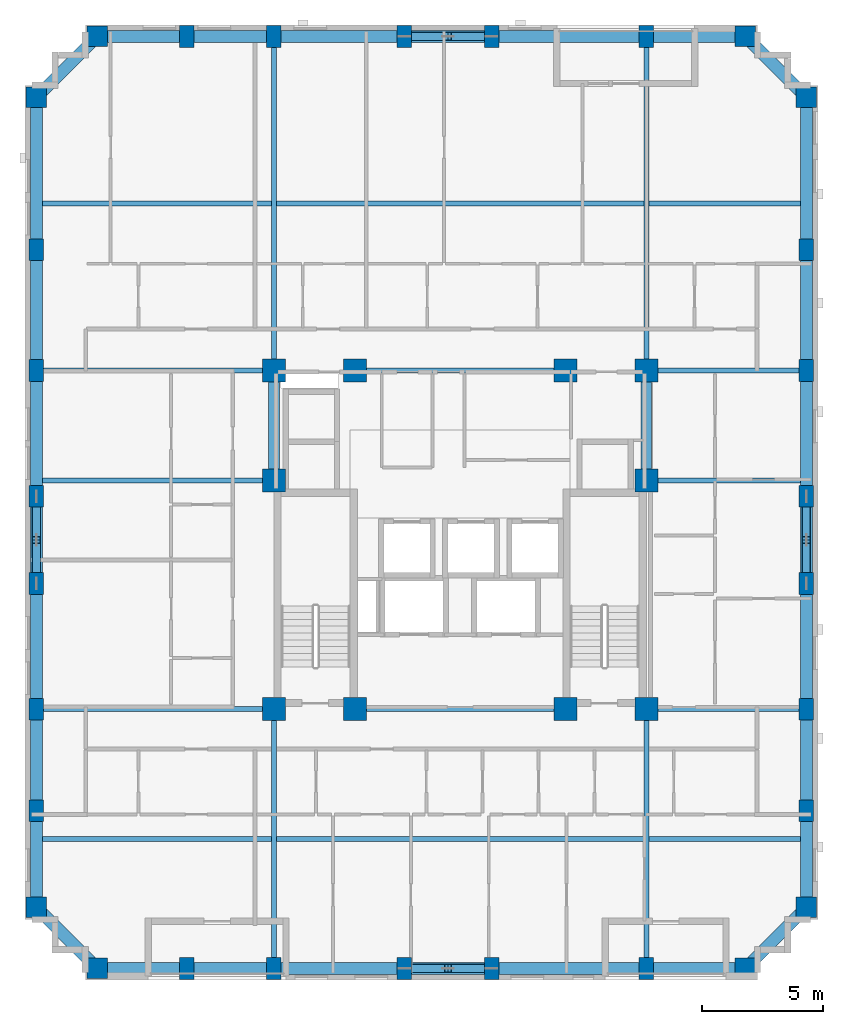
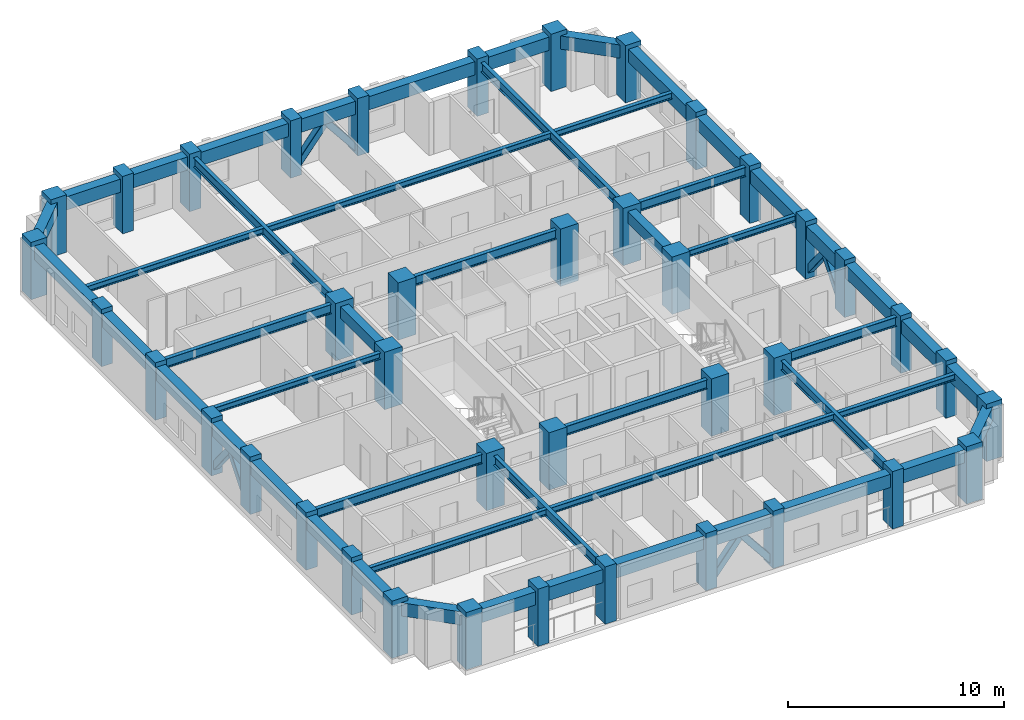
# One storey, part 1 of 11: 50 beams, 40 columns, 8 members.
"""IFC4 building model written with IfcOpenShell, lengths in metres."""

from ifc_helpers import new_model, si_unit, derived_unit, direction, frame, origin, origin_2d, place, context, subcontext, project, spatial, rectangle, hollow_rectangle, i_section, extrude, material, material_profile, profile_set, type_object, element, save


model = new_model("IFC4")

# Units and contexts
model_context = context("Model", 3, precision=1e-05, world=origin(), true_north=direction((0.0, 1.0)))
body_context = subcontext(model_context, "Body", "Model", "MODEL_VIEW")
ifc_project = project(units=[si_unit("LENGTHUNIT", "METRE"), si_unit("AREAUNIT", "SQUARE_METRE"), si_unit("VOLUMEUNIT", "CUBIC_METRE"), si_unit("PLANEANGLEUNIT", "RADIAN"), si_unit("MASSUNIT", "GRAM", prefix="KILO"), derived_unit("THERMALTRANSMITTANCEUNIT", [(si_unit("MASSUNIT", "GRAM", prefix="KILO"), 1), (si_unit("TIMEUNIT", "SECOND"), -3), (si_unit("THERMODYNAMICTEMPERATUREUNIT", "KELVIN"), -1)])], contexts=[model_context])

# Site, building, storey
site_placement = place(None, origin())
site = spatial("IfcSite", under=ifc_project, at=site_placement, CompositionType="ELEMENT")
building_placement = place(site_placement, origin())
building = spatial("IfcBuilding", under=site, at=building_placement, Name="Korrvale Station Residences", CompositionType="ELEMENT")
storey_placement = place(building_placement, frame((0.0, 0.0, 147.14990234375)))
storey = spatial("IfcBuildingStorey", under=building, at=storey_placement, Name="L42", CompositionType="ELEMENT", Elevation=147.14990234375)

# Columns
ifc_material_1 = material(Name="Concrete C60/75", Category="concrete")
ifc_material_profile_1 = material_profile(ifc_material_1, rectangle(XDim=0.60009765625, YDim=0.89990234375, at=origin_2d()), Name="RC600x900")
ifc_profile_set_1 = profile_set([ifc_material_profile_1], Name="Concrete C60/75")
column_type_1 = type_object("IfcColumnType", Name="COL-C-RC600x900-C6075", PredefinedType="COLUMN", material=ifc_profile_set_1)
for number, where, z_axis, x_axis, name in (
    (1, (14.199951171875, 4.280029296875, 0.0), (0.0, 0.0, 1.0), (1.0, 0.0, 0.0), "L42 Bundled-Tube South Column 02"),
    (2, (17.800048828125, 4.280029296875, 0.0), (0.0, 0.0, 1.0), (1.0, 0.0, 0.0), "L42 Bundled-Tube South Column 03"),
    (3, (23.199951171875, 4.280029296875, 0.0), (0.0, 0.0, 1.0), (1.0, 0.0, 0.0), "L42 Bundled-Tube South Column 04"),
    (4, (26.800048828125, 4.280029296875, 0.0), (0.0, 0.0, 1.0), (1.0, 0.0, 0.0), "L42 Bundled-Tube South Column 05"),
    (5, (33.199951171875, 4.280029296875, 0.0), (0.0, 0.0, 1.0), (1.0, 0.0, 0.0), "L42 Bundled-Tube South Column 06"),
    (6, (14.199951171875, 42.820068359375, 0.0), (0.0, 0.0, 1.0), (1.0, 0.0, 0.0), "L42 Bundled-Tube North Column 09"),
    (7, (17.800048828125, 42.820068359375, 0.0), (0.0, 0.0, 1.0), (1.0, 0.0, 0.0), "L42 Bundled-Tube North Column 10"),
    (8, (23.199951171875, 42.820068359375, 0.0), (0.0, 0.0, 1.0), (1.0, 0.0, 0.0), "L42 Bundled-Tube North Column 11"),
    (9, (26.800048828125, 42.820068359375, 0.0), (0.0, 0.0, 1.0), (1.0, 0.0, 0.0), "L42 Bundled-Tube North Column 12"),
    (10, (33.199951171875, 42.820068359375, 0.0), (0.0, 0.0, 1.0), (1.0, 0.0, 0.0), "L42 Bundled-Tube North Column 13"),
    (11, (7.97998046875, 10.800048828125, 0.0), (0.0, 0.0, 1.0), (1.0, 0.0, 0.0), "L42 Bundled-Tube West Column 16"),
    (12, (7.97998046875, 15.0, 0.0), (0.0, 0.0, 1.0), (1.0, 0.0, 0.0), "L42 Bundled-Tube West Column 17"),
    (13, (7.97998046875, 20.199951171875, 0.0), (0.0, 0.0, 1.0), (1.0, 0.0, 0.0), "L42 Bundled-Tube West Column 18"),
    (14, (7.97998046875, 23.800048828125, 0.0), (0.0, 0.0, 1.0), (1.0, 0.0, 0.0), "L42 Bundled-Tube West Column 19"),
    (15, (7.97998046875, 29.0, 0.0), (0.0, 0.0, 1.0), (1.0, 0.0, 0.0), "L42 Bundled-Tube West Column 20"),
    (16, (7.97998046875, 34.0, 0.0), (0.0, 0.0, 1.0), (1.0, 0.0, 0.0), "L42 Bundled-Tube West Column 21"),
    (17, (39.820068359375, 10.800048828125, 0.0), (0.0, 0.0, 1.0), (1.0, 0.0, 0.0), "L42 Bundled-Tube East Column 24"),
    (18, (39.820068359375, 15.0, 0.0), (0.0, 0.0, 1.0), (1.0, 0.0, 0.0), "L42 Bundled-Tube East Column 25"),
    (19, (39.820068359375, 20.199951171875, 0.0), (0.0, 0.0, 1.0), (1.0, 0.0, 0.0), "L42 Bundled-Tube East Column 26"),
    (20, (39.820068359375, 23.800048828125, 0.0), (0.0, 0.0, 1.0), (1.0, 0.0, 0.0), "L42 Bundled-Tube East Column 27"),
    (21, (39.820068359375, 29.0, 0.0), (0.0, 0.0, 1.0), (1.0, 0.0, 0.0), "L42 Bundled-Tube East Column 28"),
    (22, (39.820068359375, 34.0, 0.0), (0.0, 0.0, 1.0), (1.0, 0.0, 0.0), "L42 Bundled-Tube East Column 29"),
):
    element("IfcColumn", number, at=place(storey_placement, frame(where, z_axis=z_axis, x_axis=x_axis)), inside=storey, type_object=column_type_1, Name=name, PredefinedType="COLUMN", context=body_context, shape_type="SweptSolid", body=[
        extrude(rectangle(XDim=0.60009765625, YDim=0.89990234375, at=origin_2d()), origin(), (0.0, 0.0, 1.0), 3.25),
    ])
ifc_material_profile_2 = material_profile(ifc_material_1, rectangle(XDim=0.85009765625, YDim=0.85009765625, at=origin_2d()), Name="RC850x850")
ifc_profile_set_2 = profile_set([ifc_material_profile_2], Name="Concrete C60/75")
column_type_2 = type_object("IfcColumnType", Name="COL-C-RC850x850-C6075", PredefinedType="COLUMN", material=ifc_profile_set_2)
for number, where, z_axis, x_axis, name in (
    (23, (10.5, 4.280029296875, 0.0), (0.0, 0.0, 1.0), (1.0, 0.0, 0.0), "L42 Bundled-Tube South Column 01"),
    (24, (37.300048828125, 4.280029296875, 0.0), (0.0, 0.0, 1.0), (1.0, 0.0, 0.0), "L42 Bundled-Tube South Column 07"),
    (25, (10.5, 42.820068359375, 0.0), (0.0, 0.0, 1.0), (1.0, 0.0, 0.0), "L42 Bundled-Tube North Column 08"),
    (26, (37.300048828125, 42.820068359375, 0.0), (0.0, 0.0, 1.0), (1.0, 0.0, 0.0), "L42 Bundled-Tube North Column 14"),
    (27, (7.97998046875, 6.800048828125, 0.0), (0.0, 0.0, 1.0), (1.0, 0.0, 0.0), "L42 Bundled-Tube West Column 15"),
    (28, (7.97998046875, 40.300048828125, 0.0), (0.0, 0.0, 1.0), (1.0, 0.0, 0.0), "L42 Bundled-Tube West Column 22"),
    (29, (39.820068359375, 6.800048828125, 0.0), (0.0, 0.0, 1.0), (1.0, 0.0, 0.0), "L42 Bundled-Tube East Column 23"),
    (30, (39.820068359375, 40.300048828125, 0.0), (0.0, 0.0, 1.0), (1.0, 0.0, 0.0), "L42 Bundled-Tube East Column 30"),
):
    element("IfcColumn", number, at=place(storey_placement, frame(where, z_axis=z_axis, x_axis=x_axis)), inside=storey, type_object=column_type_2, Name=name, PredefinedType="COLUMN", context=body_context, shape_type="SweptSolid", body=[
        extrude(rectangle(XDim=0.85009765625, YDim=0.85009765625, at=origin_2d()), origin(), (0.0, 0.0, 1.0), 3.25),
    ])
ifc_material_profile_3 = material_profile(ifc_material_1, rectangle(XDim=0.949951171875, YDim=0.949951171875, at=origin_2d()), Name="RC950x950")
ifc_profile_set_3 = profile_set([ifc_material_profile_3], Name="Concrete C60/75")
column_type_3 = type_object("IfcColumnType", Name="COL-C-RC950x950-C6075", PredefinedType="COLUMN", material=ifc_profile_set_3)
for number, where, z_axis, x_axis, name in (
    (31, (17.800048828125, 15.0, 0.0), (0.0, 0.0, 1.0), (1.0, 0.0, 0.0), "L42 Core Column 01"),
    (32, (21.14990234375, 15.0, 0.0), (0.0, 0.0, 1.0), (1.0, 0.0, 0.0), "L42 Core Column 02"),
    (33, (29.85009765625, 15.0, 0.0), (0.0, 0.0, 1.0), (1.0, 0.0, 0.0), "L42 Core Column 03"),
    (34, (33.199951171875, 15.0, 0.0), (0.0, 0.0, 1.0), (1.0, 0.0, 0.0), "L42 Core Column 04"),
    (35, (17.800048828125, 29.0, 0.0), (0.0, 0.0, 1.0), (1.0, 0.0, 0.0), "L42 Core Column 05"),
    (36, (21.14990234375, 29.0, 0.0), (0.0, 0.0, 1.0), (1.0, 0.0, 0.0), "L42 Core Column 06"),
    (37, (29.85009765625, 29.0, 0.0), (0.0, 0.0, 1.0), (1.0, 0.0, 0.0), "L42 Core Column 07"),
    (38, (33.199951171875, 29.0, 0.0), (0.0, 0.0, 1.0), (1.0, 0.0, 0.0), "L42 Core Column 08"),
    (39, (17.800048828125, 24.449951171875, 0.0), (0.0, 0.0, 1.0), (1.0, 0.0, 0.0), "L42 Core Column 09"),
    (40, (33.199951171875, 24.449951171875, 0.0), (0.0, 0.0, 1.0), (1.0, 0.0, 0.0), "L42 Core Column 10"),
):
    element("IfcColumn", number, at=place(storey_placement, frame(where, z_axis=z_axis, x_axis=x_axis)), inside=storey, type_object=column_type_3, Name=name, PredefinedType="COLUMN", context=body_context, shape_type="SweptSolid", body=[
        extrude(rectangle(XDim=0.949951171875, YDim=0.949951171875, at=origin_2d()), origin(), (0.0, 0.0, 1.0), 3.25),
    ])

# Beams
ifc_material_2 = material(Name="Steel S355", Category="steel")
ifc_material_profile_4 = material_profile(ifc_material_2, i_section(OverallWidth=0.208984375, OverallDepth=0.532958984375, WebThickness=0.01025390625, FlangeThickness=0.015625, FilletRadius=0.01806640625, at=origin_2d()), Name="W530x92")
ifc_profile_set_4 = profile_set([ifc_material_profile_4], Name="Steel S355")
beam_type_1 = type_object("IfcBeamType", Name="BM-BM-W530x92-S355", PredefinedType="BEAM", material=ifc_profile_set_4)
for number, where, z_axis, x_axis, name in (
    (41, (17.800048828125, 4.280029296875, 2.7236328125), (0.0, 1.0, 0.0), (-1.0, 0.0, 0.0), "L42 Bundled-Tube Web Girder 01"),
    (42, (33.199951171875, 4.280029296875, 2.7236328125), (0.0, 1.0, 0.0), (-1.0, 0.0, 0.0), "L42 Bundled-Tube Web Girder 02"),
):
    element("IfcBeam", number, at=place(storey_placement, frame(where, z_axis=z_axis, x_axis=x_axis)), inside=storey, type_object=beam_type_1, Name=name, PredefinedType="BEAM", context=body_context, shape_type="SweptSolid", body=[
        extrude(i_section(OverallWidth=0.208984375, OverallDepth=0.532958984375, WebThickness=0.01025390625, FlangeThickness=0.015625, FilletRadius=0.01806640625, at=origin_2d()), origin(), (0.0, 0.0, 1.0), 10.719970703125),
    ])
for number, where, z_axis, x_axis, name in (
    (43, (17.800048828125, 29.0, 2.7236328125), (0.0, 1.0, 0.0), (-1.0, 0.0, 0.0), "L42 Bundled-Tube Web Girder 03"),
    (44, (33.199951171875, 29.0, 2.7236328125), (0.0, 1.0, 0.0), (-1.0, 0.0, 0.0), "L42 Bundled-Tube Web Girder 04"),
):
    element("IfcBeam", number, at=place(storey_placement, frame(where, z_axis=z_axis, x_axis=x_axis)), inside=storey, type_object=beam_type_1, Name=name, PredefinedType="BEAM", context=body_context, shape_type="SweptSolid", body=[
        extrude(i_section(OverallWidth=0.208984375, OverallDepth=0.532958984375, WebThickness=0.01025390625, FlangeThickness=0.015625, FilletRadius=0.01806640625, at=origin_2d()), origin(), (0.0, 0.0, 1.0), 13.820068359375),
    ])
beam_1_placement = place(storey_placement, frame((7.97998046875, 15.0, 2.7236328125), z_axis=(1.0, 0.0, 0.0), x_axis=(0.0, 1.0, 0.0)))
element("IfcBeam", 45, at=beam_1_placement, inside=storey, type_object=beam_type_1, Name="L42 Bundled-Tube Web Girder 05", PredefinedType="BEAM", context=body_context, shape_type="SweptSolid", body=[
    extrude(i_section(OverallWidth=0.208984375, OverallDepth=0.532958984375, WebThickness=0.01025390625, FlangeThickness=0.015625, FilletRadius=0.01806640625, at=origin_2d()), origin(), (0.0, 0.0, 1.0), 9.820068359375),
])
beam_2_placement = place(storey_placement, frame((33.199951171875, 15.0, 2.7236328125), z_axis=(1.0, 0.0, 0.0), x_axis=(0.0, 1.0, 0.0)))
element("IfcBeam", 46, at=beam_2_placement, inside=storey, type_object=beam_type_1, Name="L42 Bundled-Tube Web Girder 06", PredefinedType="BEAM", context=body_context, shape_type="SweptSolid", body=[
    extrude(i_section(OverallWidth=0.208984375, OverallDepth=0.532958984375, WebThickness=0.01025390625, FlangeThickness=0.015625, FilletRadius=0.01806640625, at=origin_2d()), origin(), (0.0, 0.0, 1.0), 6.6201171875),
])
beam_3_placement = place(storey_placement, frame((7.97998046875, 29.0, 2.7236328125), z_axis=(1.0, 0.0, 0.0), x_axis=(0.0, 1.0, 0.0)))
element("IfcBeam", 47, at=beam_3_placement, inside=storey, type_object=beam_type_1, Name="L42 Bundled-Tube Web Girder 07", PredefinedType="BEAM", context=body_context, shape_type="SweptSolid", body=[
    extrude(i_section(OverallWidth=0.208984375, OverallDepth=0.532958984375, WebThickness=0.01025390625, FlangeThickness=0.015625, FilletRadius=0.01806640625, at=origin_2d()), origin(), (0.0, 0.0, 1.0), 9.820068359375),
])
beam_4_placement = place(storey_placement, frame((33.199951171875, 29.0, 2.7236328125), z_axis=(1.0, 0.0, 0.0), x_axis=(0.0, 1.0, 0.0)))
element("IfcBeam", 48, at=beam_4_placement, inside=storey, type_object=beam_type_1, Name="L42 Bundled-Tube Web Girder 08", PredefinedType="BEAM", context=body_context, shape_type="SweptSolid", body=[
    extrude(i_section(OverallWidth=0.208984375, OverallDepth=0.532958984375, WebThickness=0.01025390625, FlangeThickness=0.015625, FilletRadius=0.01806640625, at=origin_2d()), origin(), (0.0, 0.0, 1.0), 6.6201171875),
])
for number, where, z_axis, x_axis, name in (
    (49, (21.14990234375, 15.0, 2.7236328125), (1.0, 0.0, 0.0), (0.0, 1.0, 0.0), "L42 Bundled-Tube Web Girder 09"),
    (50, (21.14990234375, 29.0, 2.7236328125), (1.0, 0.0, 0.0), (0.0, 1.0, 0.0), "L42 Bundled-Tube Web Girder 10"),
):
    element("IfcBeam", number, at=place(storey_placement, frame(where, z_axis=z_axis, x_axis=x_axis)), inside=storey, type_object=beam_type_1, Name=name, PredefinedType="BEAM", context=body_context, shape_type="SweptSolid", body=[
        extrude(i_section(OverallWidth=0.208984375, OverallDepth=0.532958984375, WebThickness=0.01025390625, FlangeThickness=0.015625, FilletRadius=0.01806640625, at=origin_2d()), origin(), (0.0, 0.0, 1.0), 8.7001953125),
    ])
ifc_material_profile_5 = material_profile(ifc_material_2, i_section(OverallWidth=0.205078125, OverallDepth=0.35400390625, WebThickness=0.009521484375, FlangeThickness=0.016845703125, FilletRadius=0.014892578125, at=origin_2d()), Name="W360x79")
ifc_profile_set_5 = profile_set([ifc_material_profile_5], Name="Steel S355")
beam_type_2 = type_object("IfcBeamType", Name="BM-JST-W360x79-S355", PredefinedType="JOIST", material=ifc_profile_set_5)
beam_5_placement = place(storey_placement, frame((8.22998046875, 9.639892578125, 2.81298828125), z_axis=(1.0, 0.0, 0.0), x_axis=(0.0, 1.0, 0.0)))
element("IfcBeam", 51, at=beam_5_placement, inside=storey, type_object=beam_type_2, Name="L42 Floor Framing Joist 01", PredefinedType="JOIST", context=body_context, shape_type="SweptSolid", body=[
    extrude(i_section(OverallWidth=0.205078125, OverallDepth=0.35400390625, WebThickness=0.009521484375, FlangeThickness=0.016845703125, FilletRadius=0.014892578125, at=origin_2d()), origin(), (0.0, 0.0, 1.0), 9.465576171875),
])
beam_6_placement = place(storey_placement, frame((17.904541015625, 9.639892578125, 2.81298828125), z_axis=(1.0, 0.0, 0.0), x_axis=(0.0, 1.0, 0.0)))
element("IfcBeam", 52, at=beam_6_placement, inside=storey, type_object=beam_type_2, Name="L42 Floor Framing Joist 02", PredefinedType="JOIST", context=body_context, shape_type="SweptSolid", body=[
    extrude(i_section(OverallWidth=0.205078125, OverallDepth=0.35400390625, WebThickness=0.009521484375, FlangeThickness=0.016845703125, FilletRadius=0.014892578125, at=origin_2d()), origin(), (0.0, 0.0, 1.0), 15.19091796875),
])
beam_7_placement = place(storey_placement, frame((33.304443359375, 9.639892578125, 2.81298828125), z_axis=(1.0, 0.0, 0.0), x_axis=(0.0, 1.0, 0.0)))
element("IfcBeam", 53, at=beam_7_placement, inside=storey, type_object=beam_type_2, Name="L42 Floor Framing Joist 03", PredefinedType="JOIST", context=body_context, shape_type="SweptSolid", body=[
    extrude(i_section(OverallWidth=0.205078125, OverallDepth=0.35400390625, WebThickness=0.009521484375, FlangeThickness=0.016845703125, FilletRadius=0.014892578125, at=origin_2d()), origin(), (0.0, 0.0, 1.0), 6.265625),
])
beam_8_placement = place(storey_placement, frame((8.22998046875, 35.909912109375, 2.81298828125), z_axis=(1.0, 0.0, 0.0), x_axis=(0.0, 1.0, 0.0)))
element("IfcBeam", 54, at=beam_8_placement, inside=storey, type_object=beam_type_2, Name="L42 Floor Framing Joist 04", PredefinedType="JOIST", context=body_context, shape_type="SweptSolid", body=[
    extrude(i_section(OverallWidth=0.205078125, OverallDepth=0.35400390625, WebThickness=0.009521484375, FlangeThickness=0.016845703125, FilletRadius=0.014892578125, at=origin_2d()), origin(), (0.0, 0.0, 1.0), 9.465576171875),
])
beam_9_placement = place(storey_placement, frame((17.904541015625, 35.909912109375, 2.81298828125), z_axis=(1.0, 0.0, 0.0), x_axis=(0.0, 1.0, 0.0)))
element("IfcBeam", 55, at=beam_9_placement, inside=storey, type_object=beam_type_2, Name="L42 Floor Framing Joist 05", PredefinedType="JOIST", context=body_context, shape_type="SweptSolid", body=[
    extrude(i_section(OverallWidth=0.205078125, OverallDepth=0.35400390625, WebThickness=0.009521484375, FlangeThickness=0.016845703125, FilletRadius=0.014892578125, at=origin_2d()), origin(), (0.0, 0.0, 1.0), 15.19091796875),
])
beam_10_placement = place(storey_placement, frame((33.304443359375, 35.909912109375, 2.81298828125), z_axis=(1.0, 0.0, 0.0), x_axis=(0.0, 1.0, 0.0)))
element("IfcBeam", 56, at=beam_10_placement, inside=storey, type_object=beam_type_2, Name="L42 Floor Framing Joist 06", PredefinedType="JOIST", context=body_context, shape_type="SweptSolid", body=[
    extrude(i_section(OverallWidth=0.205078125, OverallDepth=0.35400390625, WebThickness=0.009521484375, FlangeThickness=0.016845703125, FilletRadius=0.014892578125, at=origin_2d()), origin(), (0.0, 0.0, 1.0), 6.265625),
])
beam_11_placement = place(storey_placement, frame((33.425048828125, 24.449951171875, 2.81298828125), z_axis=(1.0, 0.0, 0.0), x_axis=(0.0, 1.0, 0.0)))
element("IfcBeam", 57, at=beam_11_placement, inside=storey, type_object=beam_type_2, Name="L42 Floor Framing Joist 07", PredefinedType="JOIST", context=body_context, shape_type="SweptSolid", body=[
    extrude(i_section(OverallWidth=0.205078125, OverallDepth=0.35400390625, WebThickness=0.009521484375, FlangeThickness=0.016845703125, FilletRadius=0.014892578125, at=origin_2d()), origin(), (0.0, 0.0, 1.0), 6.14501953125),
])
beam_12_placement = place(storey_placement, frame((8.22998046875, 24.449951171875, 2.81298828125), z_axis=(1.0, 0.0, 0.0), x_axis=(0.0, 1.0, 0.0)))
element("IfcBeam", 58, at=beam_12_placement, inside=storey, type_object=beam_type_2, Name="L42 Floor Framing Joist 08", PredefinedType="JOIST", context=body_context, shape_type="SweptSolid", body=[
    extrude(i_section(OverallWidth=0.205078125, OverallDepth=0.35400390625, WebThickness=0.009521484375, FlangeThickness=0.016845703125, FilletRadius=0.014892578125, at=origin_2d()), origin(), (0.0, 0.0, 1.0), 9.344970703125),
])
ifc_material_profile_6 = material_profile(ifc_material_1, rectangle(XDim=0.449951171875, YDim=0.64990234375, at=origin_2d()), Name="RCB450x650")
ifc_profile_set_6 = profile_set([ifc_material_profile_6], Name="Concrete C60/75")
beam_type_3 = type_object("IfcBeamType", Name="BM-LNT-RCB450x650-C6075", PredefinedType="LINTEL", material=ifc_profile_set_6)
for number, where, z_axis, x_axis, name in (
    (59, (17.800048828125, 24.449951171875, 2.6650390625), (0.0, 1.0, 0.0), (-1.0, 0.0, 0.0), "L42 Core Coupling Lintel 1"),
    (60, (33.199951171875, 24.449951171875, 2.6650390625), (0.0, 1.0, 0.0), (-1.0, 0.0, 0.0), "L42 Core Coupling Lintel 2"),
):
    element("IfcBeam", number, at=place(storey_placement, frame(where, z_axis=z_axis, x_axis=x_axis)), inside=storey, type_object=beam_type_3, Name=name, PredefinedType="LINTEL", context=body_context, shape_type="SweptSolid", body=[
        extrude(rectangle(XDim=0.449951171875, YDim=0.64990234375, at=origin_2d()), origin(), (0.0, 0.0, 1.0), 4.550048828125),
    ])
ifc_material_profile_7 = material_profile(ifc_material_1, rectangle(XDim=0.5, YDim=0.75, at=origin_2d()), Name="RCB500x750")
ifc_profile_set_7 = profile_set([ifc_material_profile_7], Name="Concrete C60/75")
beam_type_4 = type_object("IfcBeamType", Name="BM-SPB-RCB500x750-C6075", PredefinedType="SPANDREL", material=ifc_profile_set_7)
beam_13_placement = place(storey_placement, frame((10.5, 4.280029296875, 2.614990234375), z_axis=(1.0, 0.0, 0.0), x_axis=(0.0, 1.0, 0.0)))
element("IfcBeam", 61, at=beam_13_placement, inside=storey, type_object=beam_type_4, Name="L42 South Tube Spandrel 01", PredefinedType="SPANDREL", context=body_context, shape_type="SweptSolid", body=[
    extrude(rectangle(XDim=0.5, YDim=0.75, at=origin_2d()), origin(), (0.0, 0.0, 1.0), 3.699951171875),
])
beam_14_placement = place(storey_placement, frame((14.199951171875, 4.280029296875, 2.614990234375), z_axis=(1.0, 0.0, 0.0), x_axis=(0.0, 1.0, 0.0)))
element("IfcBeam", 62, at=beam_14_placement, inside=storey, type_object=beam_type_4, Name="L42 South Tube Spandrel 02", PredefinedType="SPANDREL", context=body_context, shape_type="SweptSolid", body=[
    extrude(rectangle(XDim=0.5, YDim=0.75, at=origin_2d()), origin(), (0.0, 0.0, 1.0), 3.60009765625),
])
beam_15_placement = place(storey_placement, frame((17.800048828125, 4.280029296875, 2.614990234375), z_axis=(1.0, 0.0, 0.0), x_axis=(0.0, 1.0, 0.0)))
element("IfcBeam", 63, at=beam_15_placement, inside=storey, type_object=beam_type_4, Name="L42 South Tube Spandrel 03", PredefinedType="SPANDREL", context=body_context, shape_type="SweptSolid", body=[
    extrude(rectangle(XDim=0.5, YDim=0.75, at=origin_2d()), origin(), (0.0, 0.0, 1.0), 5.39990234375),
])
beam_16_placement = place(storey_placement, frame((23.199951171875, 4.280029296875, 2.614990234375), z_axis=(1.0, 0.0, 0.0), x_axis=(0.0, 1.0, 0.0)))
element("IfcBeam", 64, at=beam_16_placement, inside=storey, type_object=beam_type_4, Name="L42 South Tube Spandrel 04", PredefinedType="SPANDREL", context=body_context, shape_type="SweptSolid", body=[
    extrude(rectangle(XDim=0.5, YDim=0.75, at=origin_2d()), origin(), (0.0, 0.0, 1.0), 3.60009765625),
])
beam_17_placement = place(storey_placement, frame((26.800048828125, 4.280029296875, 2.614990234375), z_axis=(1.0, 0.0, 0.0), x_axis=(0.0, 1.0, 0.0)))
element("IfcBeam", 65, at=beam_17_placement, inside=storey, type_object=beam_type_4, Name="L42 South Tube Spandrel 05", PredefinedType="SPANDREL", context=body_context, shape_type="SweptSolid", body=[
    extrude(rectangle(XDim=0.5, YDim=0.75, at=origin_2d()), origin(), (0.0, 0.0, 1.0), 6.39990234375),
])
beam_18_placement = place(storey_placement, frame((33.199951171875, 4.280029296875, 2.614990234375), z_axis=(1.0, 0.0, 0.0), x_axis=(0.0, 1.0, 0.0)))
element("IfcBeam", 66, at=beam_18_placement, inside=storey, type_object=beam_type_4, Name="L42 South Tube Spandrel 06", PredefinedType="SPANDREL", context=body_context, shape_type="SweptSolid", body=[
    extrude(rectangle(XDim=0.5, YDim=0.75, at=origin_2d()), origin(), (0.0, 0.0, 1.0), 4.10009765625),
])
beam_19_placement = place(storey_placement, frame((10.5, 42.820068359375, 2.614990234375), z_axis=(1.0, 0.0, 0.0), x_axis=(0.0, 1.0, 0.0)))
element("IfcBeam", 67, at=beam_19_placement, inside=storey, type_object=beam_type_4, Name="L42 North Tube Spandrel 07", PredefinedType="SPANDREL", context=body_context, shape_type="SweptSolid", body=[
    extrude(rectangle(XDim=0.5, YDim=0.75, at=origin_2d()), origin(), (0.0, 0.0, 1.0), 3.699951171875),
])
beam_20_placement = place(storey_placement, frame((14.199951171875, 42.820068359375, 2.614990234375), z_axis=(1.0, 0.0, 0.0), x_axis=(0.0, 1.0, 0.0)))
element("IfcBeam", 68, at=beam_20_placement, inside=storey, type_object=beam_type_4, Name="L42 North Tube Spandrel 08", PredefinedType="SPANDREL", context=body_context, shape_type="SweptSolid", body=[
    extrude(rectangle(XDim=0.5, YDim=0.75, at=origin_2d()), origin(), (0.0, 0.0, 1.0), 3.60009765625),
])
beam_21_placement = place(storey_placement, frame((17.800048828125, 42.820068359375, 2.614990234375), z_axis=(1.0, 0.0, 0.0), x_axis=(0.0, 1.0, 0.0)))
element("IfcBeam", 69, at=beam_21_placement, inside=storey, type_object=beam_type_4, Name="L42 North Tube Spandrel 09", PredefinedType="SPANDREL", context=body_context, shape_type="SweptSolid", body=[
    extrude(rectangle(XDim=0.5, YDim=0.75, at=origin_2d()), origin(), (0.0, 0.0, 1.0), 5.39990234375),
])
beam_22_placement = place(storey_placement, frame((23.199951171875, 42.820068359375, 2.614990234375), z_axis=(1.0, 0.0, 0.0), x_axis=(0.0, 1.0, 0.0)))
element("IfcBeam", 70, at=beam_22_placement, inside=storey, type_object=beam_type_4, Name="L42 North Tube Spandrel 10", PredefinedType="SPANDREL", context=body_context, shape_type="SweptSolid", body=[
    extrude(rectangle(XDim=0.5, YDim=0.75, at=origin_2d()), origin(), (0.0, 0.0, 1.0), 3.60009765625),
])
beam_23_placement = place(storey_placement, frame((26.800048828125, 42.820068359375, 2.614990234375), z_axis=(1.0, 0.0, 0.0), x_axis=(0.0, 1.0, 0.0)))
element("IfcBeam", 71, at=beam_23_placement, inside=storey, type_object=beam_type_4, Name="L42 North Tube Spandrel 11", PredefinedType="SPANDREL", context=body_context, shape_type="SweptSolid", body=[
    extrude(rectangle(XDim=0.5, YDim=0.75, at=origin_2d()), origin(), (0.0, 0.0, 1.0), 6.39990234375),
])
beam_24_placement = place(storey_placement, frame((33.199951171875, 42.820068359375, 2.614990234375), z_axis=(1.0, 0.0, 0.0), x_axis=(0.0, 1.0, 0.0)))
element("IfcBeam", 72, at=beam_24_placement, inside=storey, type_object=beam_type_4, Name="L42 North Tube Spandrel 12", PredefinedType="SPANDREL", context=body_context, shape_type="SweptSolid", body=[
    extrude(rectangle(XDim=0.5, YDim=0.75, at=origin_2d()), origin(), (0.0, 0.0, 1.0), 4.10009765625),
])
beam_25_placement = place(storey_placement, frame((7.97998046875, 6.800048828125, 2.614990234375), z_axis=(0.0, 1.0, 0.0), x_axis=(-1.0, 0.0, 0.0)))
element("IfcBeam", 73, at=beam_25_placement, inside=storey, type_object=beam_type_4, Name="L42 West Tube Spandrel 13", PredefinedType="SPANDREL", context=body_context, shape_type="SweptSolid", body=[
    extrude(rectangle(XDim=0.5, YDim=0.75, at=origin_2d()), origin(), (0.0, 0.0, 1.0), 4.0),
])
beam_26_placement = place(storey_placement, frame((7.97998046875, 10.800048828125, 2.614990234375), z_axis=(0.0, 1.0, 0.0), x_axis=(-1.0, 0.0, 0.0)))
element("IfcBeam", 74, at=beam_26_placement, inside=storey, type_object=beam_type_4, Name="L42 West Tube Spandrel 14", PredefinedType="SPANDREL", context=body_context, shape_type="SweptSolid", body=[
    extrude(rectangle(XDim=0.5, YDim=0.75, at=origin_2d()), origin(), (0.0, 0.0, 1.0), 4.199951171875),
])
beam_27_placement = place(storey_placement, frame((7.97998046875, 15.0, 2.614990234375), z_axis=(0.0, 1.0, 0.0), x_axis=(-1.0, 0.0, 0.0)))
element("IfcBeam", 75, at=beam_27_placement, inside=storey, type_object=beam_type_4, Name="L42 West Tube Spandrel 15", PredefinedType="SPANDREL", context=body_context, shape_type="SweptSolid", body=[
    extrude(rectangle(XDim=0.5, YDim=0.75, at=origin_2d()), origin(), (0.0, 0.0, 1.0), 5.199951171875),
])
beam_28_placement = place(storey_placement, frame((7.97998046875, 20.199951171875, 2.614990234375), z_axis=(0.0, 1.0, 0.0), x_axis=(-1.0, 0.0, 0.0)))
element("IfcBeam", 76, at=beam_28_placement, inside=storey, type_object=beam_type_4, Name="L42 West Tube Spandrel 16", PredefinedType="SPANDREL", context=body_context, shape_type="SweptSolid", body=[
    extrude(rectangle(XDim=0.5, YDim=0.75, at=origin_2d()), origin(), (0.0, 0.0, 1.0), 3.60009765625),
])
beam_29_placement = place(storey_placement, frame((7.97998046875, 23.800048828125, 2.614990234375), z_axis=(0.0, 1.0, 0.0), x_axis=(-1.0, 0.0, 0.0)))
element("IfcBeam", 77, at=beam_29_placement, inside=storey, type_object=beam_type_4, Name="L42 West Tube Spandrel 17", PredefinedType="SPANDREL", context=body_context, shape_type="SweptSolid", body=[
    extrude(rectangle(XDim=0.5, YDim=0.75, at=origin_2d()), origin(), (0.0, 0.0, 1.0), 5.199951171875),
])
beam_30_placement = place(storey_placement, frame((7.97998046875, 29.0, 2.614990234375), z_axis=(0.0, 1.0, 0.0), x_axis=(-1.0, 0.0, 0.0)))
element("IfcBeam", 78, at=beam_30_placement, inside=storey, type_object=beam_type_4, Name="L42 West Tube Spandrel 18", PredefinedType="SPANDREL", context=body_context, shape_type="SweptSolid", body=[
    extrude(rectangle(XDim=0.5, YDim=0.75, at=origin_2d()), origin(), (0.0, 0.0, 1.0), 5.0),
])
beam_31_placement = place(storey_placement, frame((7.97998046875, 34.0, 2.614990234375), z_axis=(0.0, 1.0, 0.0), x_axis=(-1.0, 0.0, 0.0)))
element("IfcBeam", 79, at=beam_31_placement, inside=storey, type_object=beam_type_4, Name="L42 West Tube Spandrel 19", PredefinedType="SPANDREL", context=body_context, shape_type="SweptSolid", body=[
    extrude(rectangle(XDim=0.5, YDim=0.75, at=origin_2d()), origin(), (0.0, 0.0, 1.0), 6.300048828125),
])
beam_32_placement = place(storey_placement, frame((39.820068359375, 6.800048828125, 2.614990234375), z_axis=(0.0, 1.0, 0.0), x_axis=(-1.0, 0.0, 0.0)))
element("IfcBeam", 80, at=beam_32_placement, inside=storey, type_object=beam_type_4, Name="L42 East Tube Spandrel 20", PredefinedType="SPANDREL", context=body_context, shape_type="SweptSolid", body=[
    extrude(rectangle(XDim=0.5, YDim=0.75, at=origin_2d()), origin(), (0.0, 0.0, 1.0), 4.0),
])
beam_33_placement = place(storey_placement, frame((39.820068359375, 10.800048828125, 2.614990234375), z_axis=(0.0, 1.0, 0.0), x_axis=(-1.0, 0.0, 0.0)))
element("IfcBeam", 81, at=beam_33_placement, inside=storey, type_object=beam_type_4, Name="L42 East Tube Spandrel 21", PredefinedType="SPANDREL", context=body_context, shape_type="SweptSolid", body=[
    extrude(rectangle(XDim=0.5, YDim=0.75, at=origin_2d()), origin(), (0.0, 0.0, 1.0), 4.199951171875),
])
beam_34_placement = place(storey_placement, frame((39.820068359375, 15.0, 2.614990234375), z_axis=(0.0, 1.0, 0.0), x_axis=(-1.0, 0.0, 0.0)))
element("IfcBeam", 82, at=beam_34_placement, inside=storey, type_object=beam_type_4, Name="L42 East Tube Spandrel 22", PredefinedType="SPANDREL", context=body_context, shape_type="SweptSolid", body=[
    extrude(rectangle(XDim=0.5, YDim=0.75, at=origin_2d()), origin(), (0.0, 0.0, 1.0), 5.199951171875),
])
beam_35_placement = place(storey_placement, frame((39.820068359375, 20.199951171875, 2.614990234375), z_axis=(0.0, 1.0, 0.0), x_axis=(-1.0, 0.0, 0.0)))
element("IfcBeam", 83, at=beam_35_placement, inside=storey, type_object=beam_type_4, Name="L42 East Tube Spandrel 23", PredefinedType="SPANDREL", context=body_context, shape_type="SweptSolid", body=[
    extrude(rectangle(XDim=0.5, YDim=0.75, at=origin_2d()), origin(), (0.0, 0.0, 1.0), 3.60009765625),
])
beam_36_placement = place(storey_placement, frame((39.820068359375, 23.800048828125, 2.614990234375), z_axis=(0.0, 1.0, 0.0), x_axis=(-1.0, 0.0, 0.0)))
element("IfcBeam", 84, at=beam_36_placement, inside=storey, type_object=beam_type_4, Name="L42 East Tube Spandrel 24", PredefinedType="SPANDREL", context=body_context, shape_type="SweptSolid", body=[
    extrude(rectangle(XDim=0.5, YDim=0.75, at=origin_2d()), origin(), (0.0, 0.0, 1.0), 5.199951171875),
])
beam_37_placement = place(storey_placement, frame((39.820068359375, 29.0, 2.614990234375), z_axis=(0.0, 1.0, 0.0), x_axis=(-1.0, 0.0, 0.0)))
element("IfcBeam", 85, at=beam_37_placement, inside=storey, type_object=beam_type_4, Name="L42 East Tube Spandrel 25", PredefinedType="SPANDREL", context=body_context, shape_type="SweptSolid", body=[
    extrude(rectangle(XDim=0.5, YDim=0.75, at=origin_2d()), origin(), (0.0, 0.0, 1.0), 5.0),
])
beam_38_placement = place(storey_placement, frame((39.820068359375, 34.0, 2.614990234375), z_axis=(0.0, 1.0, 0.0), x_axis=(-1.0, 0.0, 0.0)))
element("IfcBeam", 86, at=beam_38_placement, inside=storey, type_object=beam_type_4, Name="L42 East Tube Spandrel 26", PredefinedType="SPANDREL", context=body_context, shape_type="SweptSolid", body=[
    extrude(rectangle(XDim=0.5, YDim=0.75, at=origin_2d()), origin(), (0.0, 0.0, 1.0), 6.300048828125),
])
for number, where, z_axis, x_axis, name in (
    (87, (10.5, 4.280029296875, 2.614990234375), (-0.707106781187, 0.707106781187, 0.0), (-0.707106781187, -0.707106781187, 0.0), "L42 Serrated Corner Spandrel 27"),
    (88, (37.300048828125, 4.280029296875, 2.614990234375), (0.707106781187, 0.707106781187, 0.0), (-0.707106781187, 0.707106781187, 0.0), "L42 Serrated Corner Spandrel 28"),
    (89, (37.300048828125, 42.820068359375, 2.614990234375), (0.707106781187, -0.707106781187, 0.0), (0.707106781187, 0.707106781187, 0.0), "L42 Serrated Corner Spandrel 29"),
    (90, (10.5, 42.820068359375, 2.614990234375), (-0.707106781187, -0.707106781187, 0.0), (0.707106781187, -0.707106781187, 0.0), "L42 Serrated Corner Spandrel 30"),
):
    element("IfcBeam", number, at=place(storey_placement, frame(where, z_axis=z_axis, x_axis=x_axis)), inside=storey, type_object=beam_type_4, Name=name, PredefinedType="SPANDREL", context=body_context, shape_type="SweptSolid", body=[
        extrude(rectangle(XDim=0.5, YDim=0.75, at=origin_2d()), origin(), (0.0, 0.0, 1.0), 3.56396484375),
    ])

# Members
ifc_material_profile_8 = material_profile(ifc_material_2, hollow_rectangle(XDim=0.355712890625, YDim=0.355712890625, WallThickness=0.015869140625, InnerFilletRadius=0.015869140625, OuterFilletRadius=0.03173828125, at=origin_2d()), Name="HSS356x356x16")
ifc_profile_set_8 = profile_set([ifc_material_profile_8], Name="Steel S355")
member_type = type_object("IfcMemberType", Name="MBR-BR-HSS356x356x16", PredefinedType="BRACE", material=ifc_profile_set_8)
for number, where, z_axis, x_axis, name in (
    (91, (23.199951171875, 4.280029296875, 0.02001953125), (0.62640309239, 0.0, 0.779499304582), (0.0, 1.0, 0.0), "L42 S Perimeter Tube Wind Brace 1"),
    (92, (26.800048828125, 4.280029296875, 0.02001953125), (-0.62640309239, 0.0, 0.779499304582), (0.0, -1.0, 0.0), "L42 S Perimeter Tube Wind Brace 2"),
    (93, (23.199951171875, 42.820068359375, 0.02001953125), (0.62640309239, 0.0, 0.779499304582), (0.0, 1.0, 0.0), "L42 N Perimeter Tube Wind Brace 1"),
    (94, (26.800048828125, 42.820068359375, 0.02001953125), (-0.62640309239, 0.0, 0.779499304582), (0.0, -1.0, 0.0), "L42 N Perimeter Tube Wind Brace 2"),
    (95, (7.97998046875, 20.199951171875, 0.02001953125), (0.0, 0.62640309239, 0.779499304582), (-1.0, 0.0, 0.0), "L42 W Perimeter Tube Wind Brace 1"),
    (96, (7.97998046875, 23.800048828125, 0.02001953125), (0.0, -0.62640309239, 0.779499304582), (1.0, 0.0, 0.0), "L42 W Perimeter Tube Wind Brace 2"),
    (97, (39.820068359375, 20.199951171875, 0.02001953125), (0.0, 0.62640309239, 0.779499304582), (-1.0, 0.0, 0.0), "L42 E Perimeter Tube Wind Brace 1"),
    (98, (39.820068359375, 23.800048828125, 0.02001953125), (0.0, -0.62640309239, 0.779499304582), (1.0, 0.0, 0.0), "L42 E Perimeter Tube Wind Brace 2"),
):
    element("IfcMember", number, at=place(storey_placement, frame(where, z_axis=z_axis, x_axis=x_axis)), inside=storey, type_object=member_type, Name=name, PredefinedType="BRACE", context=body_context, shape_type="SweptSolid", body=[
        extrude(hollow_rectangle(XDim=0.355712890625, YDim=0.355712890625, WallThickness=0.015869140625, InnerFilletRadius=0.015869140625, OuterFilletRadius=0.03173828125, at=origin_2d()), origin(), (0.0, 0.0, 1.0), 2.87353515625),
    ])

save(model, "model.ifc")
